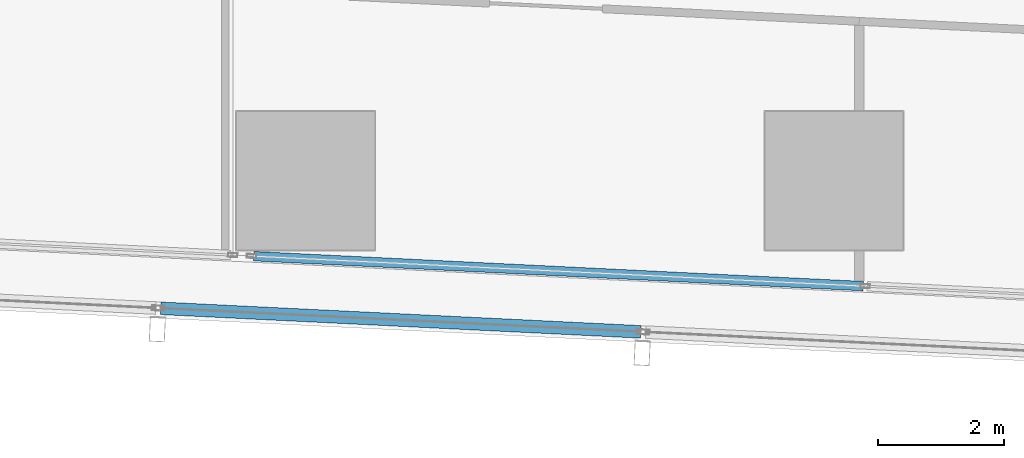
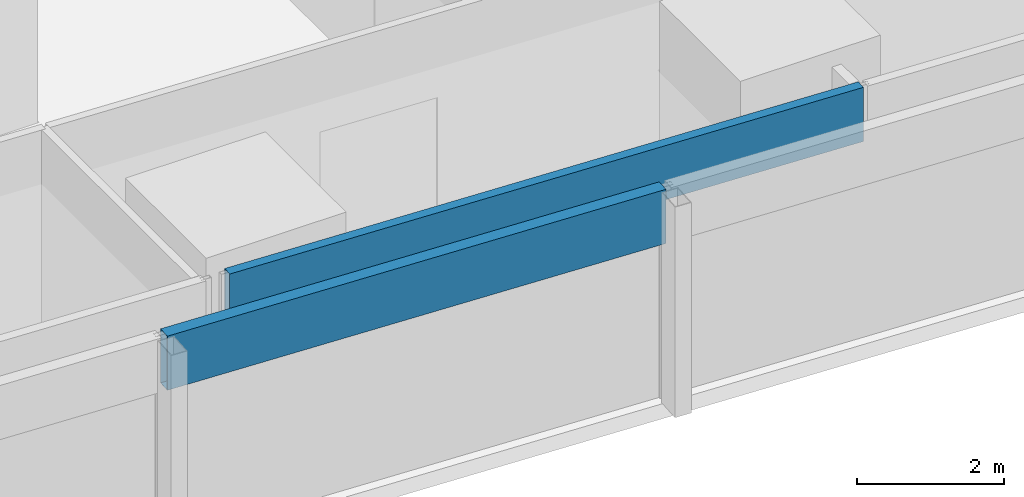
# One storey, part 3 of 42: 2 members, 2 elements without a shape of their own.
"""IFC4 building model written with IfcOpenShell, lengths in metres."""

from ifc_helpers import new_model, si_unit, direction, frame, origin, origin_2d, place, context, subcontext, project, spatial, hollow_rectangle, extrude, material, material_profile, profile_set, type_object, element, aggregate, save


model = new_model("IFC4")

# Units and contexts
model_context = context("Model", 3, precision=1e-05, world=origin(), true_north=direction((0.0, 1.0)))
body_context = subcontext(model_context, "Body", "Model", "MODEL_VIEW")
ifc_project = project(units=[si_unit("LENGTHUNIT", "METRE"), si_unit("AREAUNIT", "SQUARE_METRE"), si_unit("VOLUMEUNIT", "CUBIC_METRE"), si_unit("PLANEANGLEUNIT", "RADIAN"), si_unit("MASSUNIT", "GRAM", prefix="KILO")], contexts=[model_context])

# Site, building, storey
site_placement = place(None, origin())
site = spatial("IfcSite", under=ifc_project, at=site_placement, CompositionType="ELEMENT")
building_placement = place(site_placement, origin())
building = spatial("IfcBuilding", under=site, at=building_placement, Name="Rekha Terrace Tower", CompositionType="ELEMENT")
storey_placement = place(building_placement, frame((0.0, 0.0, 40.39990234375)))
storey = spatial("IfcBuildingStorey", under=building, at=storey_placement, Name="L09", CompositionType="ELEMENT", Elevation=40.39990234375)

# Curtain wall, member
ifc_material_1 = material(Name="Aluminium framing", Category="aluminium")
curtain_wall_type_1 = type_object("IfcCurtainWallType", Name="CW1 double skin inner glazing", PredefinedType="USERDEFINED", material=ifc_material_1)
curtain_wall_1_placement = place(storey_placement, origin())
curtain_wall_1 = element("IfcCurtainWall", 1, at=curtain_wall_1_placement, inside=storey, type_object=curtain_wall_type_1, Name="CW1 double skin inner glazing", ObjectType="DOUBLE SKIN INNER GLAZING", PredefinedType="USERDEFINED")
ifc_material_2 = material(Name="Insulated aluminium spandrel box", Category="aluminium")
ifc_material_profile_1 = material_profile(ifc_material_2, hollow_rectangle(XDim=0.14990234375, YDim=0.89990234375, WallThickness=0.0029296875, at=origin_2d()), Name="AL SPANDREL BOX 150x900")
ifc_profile_set_1 = profile_set([ifc_material_profile_1], Name="Insulated aluminium spandrel box")
member_type_1 = type_object("IfcMemberType", Name="CW1 spandrel transom 150 x 900", PredefinedType="USERDEFINED", material=ifc_profile_set_1)
member_1_placement = place(storey_placement, frame((15.973388671875, 7.200927734375, 3.050048828125), z_axis=(0.99879655824, -0.049045236754, 0.0), x_axis=(0.049045236754, 0.99879655824, 0.0)))
member_1 = element("IfcMember", 2, at=member_1_placement, type_object=member_type_1, Name="CW1 spandrel transom 1", ObjectType="TRANSOM", PredefinedType="USERDEFINED", context=body_context, shape_type="SweptSolid", body=[
    extrude(hollow_rectangle(XDim=0.14990234375, YDim=0.89990234375, WallThickness=0.0029296875, at=origin_2d()), origin(), (0.0, 0.0, 1.0), 9.701904296875),
])
aggregate(curtain_wall_1, [member_1])

curtain_wall_type_2 = type_object("IfcCurtainWallType", Name="CW2 double skin outer glazing", PredefinedType="USERDEFINED", material=ifc_material_1)
curtain_wall_2_placement = place(storey_placement, origin())
curtain_wall_2 = element("IfcCurtainWall", 3, at=curtain_wall_2_placement, inside=storey, type_object=curtain_wall_type_2, Name="CW2 double skin outer glazing", ObjectType="DOUBLE SKIN OUTER GLAZING", PredefinedType="USERDEFINED")
ifc_material_profile_2 = material_profile(ifc_material_2, hollow_rectangle(XDim=0.199951171875, YDim=0.89990234375, WallThickness=0.0029296875, at=origin_2d()), Name="AL SPANDREL BOX 200x900")
ifc_profile_set_2 = profile_set([ifc_material_profile_2], Name="Insulated aluminium spandrel box")
member_type_2 = type_object("IfcMemberType", Name="CW2 spandrel transom 200 x 900", PredefinedType="USERDEFINED", material=ifc_profile_set_2)
member_2_placement = place(storey_placement, frame((14.499755859375, 6.372314453125, 3.050048828125), z_axis=(0.998796511558, -0.049046187417, 0.0), x_axis=(0.049046187417, 0.998796511558, 0.0)))
member_2 = element("IfcMember", 4, at=member_2_placement, type_object=member_type_2, Name="CW2 spandrel transom 2", ObjectType="TRANSOM", PredefinedType="USERDEFINED", context=body_context, shape_type="SweptSolid", body=[
    extrude(hollow_rectangle(XDim=0.199951171875, YDim=0.89990234375, WallThickness=0.0029296875, at=origin_2d()), origin(), (0.0, 0.0, 1.0), 7.635986328125),
])
aggregate(curtain_wall_2, [member_2])

save(model, "model.ifc")
